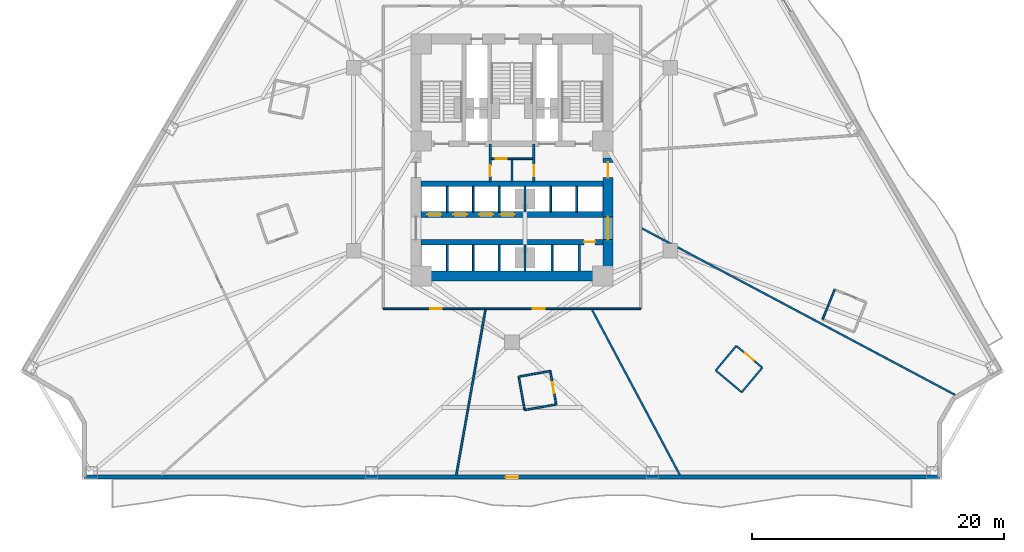
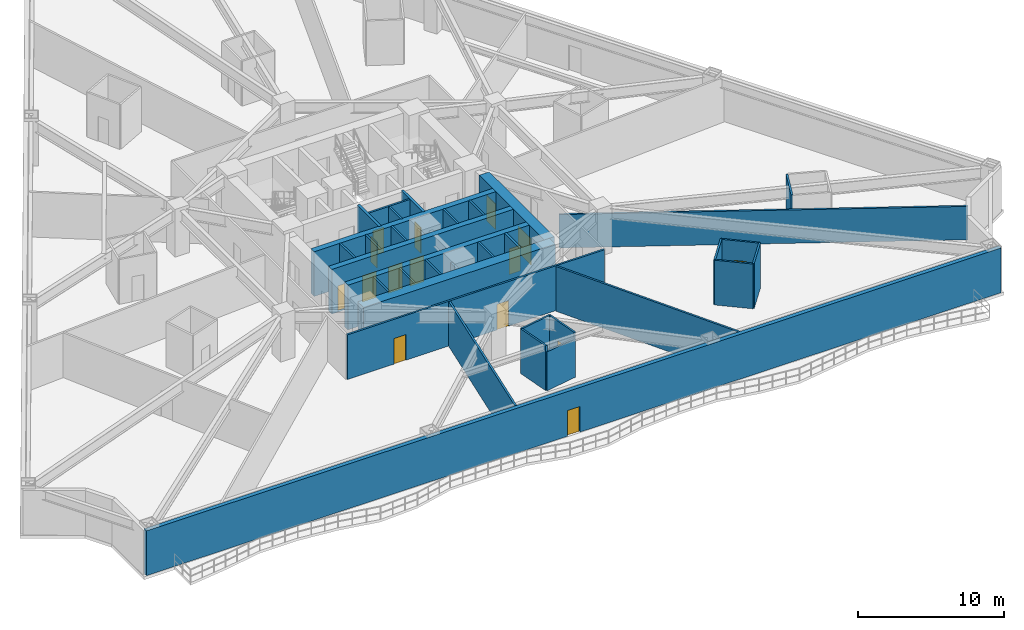
# One storey, part 4 of 10: 35 walls, 15 doors, 15 openings.
"""IFC4 building model written with IfcOpenShell, lengths in metres."""

from ifc_helpers import new_model, si_unit, direction, frame, frame_2d, origin, place, context, subcontext, project, spatial, rectangle, extrude, material, layer, layer_set, type_object, element, fill, save


model = new_model("IFC4")

# Units and contexts
model_context = context("Model", 3, precision=1e-05, world=origin(), true_north=direction((0.0, 1.0)))
body_context = subcontext(model_context, "Body", "Model", "MODEL_VIEW")
ifc_project = project(units=[si_unit("LENGTHUNIT", "METRE"), si_unit("AREAUNIT", "SQUARE_METRE"), si_unit("VOLUMEUNIT", "CUBIC_METRE"), si_unit("PLANEANGLEUNIT", "RADIAN"), si_unit("MASSUNIT", "GRAM", prefix="KILO")], contexts=[model_context])

# Site, building, storey
site_placement = place(None, origin())
site = spatial("IfcSite", under=ifc_project, at=site_placement, CompositionType="ELEMENT")
building_placement = place(site_placement, origin())
building = spatial("IfcBuilding", under=site, at=building_placement, Name="Apsidion Concourse Tower", CompositionType="ELEMENT")
storey_placement = place(building_placement, frame((0.0, 0.0, 38.39990234375)))
storey = spatial("IfcBuildingStorey", under=building, at=storey_placement, Name="L07", CompositionType="ELEMENT", Elevation=38.39990234375)

# Wall, opening, door
ifc_material_1 = material(Name="Precast concrete C40/50", Category="concrete")
ifc_layer_1 = layer(ifc_material_1, 0.320068359375)
ifc_layer_set_1 = layer_set([ifc_layer_1], Name="Precast concrete C40/50")
wall_type_1 = type_object("IfcWallType", Name="WL-EXT-320", PredefinedType="STANDARD", material=ifc_layer_set_1)
wall_1_placement = place(storey_placement, frame((33.88818359375, -25.199951171875, 0.0), z_axis=(0.0, 0.0, 1.0), x_axis=(-1.0, 0.0, 0.0)))
wall_1 = element("IfcWall", 1, at=wall_1_placement, inside=storey, type_object=wall_type_1, Name="L07 Precast Stone Facade Wall 05", PredefinedType="STANDARD", context=body_context, shape_type="SweptSolid", body=[
    extrude(rectangle(XDim=67.7763671875, YDim=0.320068359375, at=frame_2d((33.88818359375, 0.0))), origin(), (0.0, 0.0, 1.0), 3.75),
])
opening_1_placement = place(wall_1_placement, frame((33.38818359375, 0.0, 0.0)))
opening_1 = element("IfcOpeningElement", 2, at=opening_1_placement, cuts=wall_1, Name="Opening D-T1R", PredefinedType="OPENING", context=body_context, shape_type="SweptSolid", body=[
    extrude(rectangle(XDim=1.0, YDim=2.14990234375, at=frame_2d((0.5, 1.074951171875))), frame((0.0, 0.169921875, 0.0), z_axis=(0.0, -1.0, 0.0), x_axis=(1.0, 0.0, 0.0)), (0.0, 0.0, 1.0), 0.340087890625),
])
ifc_material_2 = material(Name="Anodised aluminium EN AW-6063 T6", Category="aluminium")
door_type_1 = type_object("IfcDoorType", Name="DR-TER-1022R", OperationType="SINGLE_SWING_RIGHT", PredefinedType="DOOR", material=ifc_material_2)
door_1_placement = place(opening_1_placement, origin())
door_1 = element("IfcDoor", 3, at=door_1_placement, inside=storey, type_object=door_type_1, Name="L07 Balcony Access Door 1", OperationType="SINGLE_SWING_RIGHT", OverallHeight=2.14990234375, OverallWidth=1.0, PredefinedType="DOOR", context=body_context, shape_type="SweptSolid", body=[
    extrude(rectangle(XDim=1.0, YDim=2.14990234375, at=frame_2d((0.5, 1.074951171875))), frame((0.0, 0.02490234375, 0.0), z_axis=(0.0, -1.0, 0.0), x_axis=(1.0, 0.0, 0.0)), (0.0, 0.0, 1.0), 0.050048828125),
])
fill(opening_1, door_1)

# Walls
ifc_material_3 = material(Name="Gypsum plasterboard partition")
ifc_layer_2 = layer(ifc_material_3, 0.139892578125)
ifc_layer_set_2 = layer_set([ifc_layer_2], Name="Gypsum plasterboard partition")
wall_type_2 = type_object("IfcWallType", Name="WL-INT-PAR-140", PredefinedType="PARTITIONING", material=ifc_layer_set_2)
wall_2_placement = place(storey_placement, frame((0.53271484375, -17.226806640625, 0.0), z_axis=(0.0, 0.0, 1.0), x_axis=(0.173707672725, -0.984797260575, 0.0)))
element("IfcWall", 4, at=wall_2_placement, inside=storey, type_object=wall_type_2, Name="L07 Interior Partition WL-L07-POD-ENS02-S1", PredefinedType="PARTITIONING", context=body_context, shape_type="SweptSolid", body=[
    extrude(rectangle(XDim=2.690185546875, YDim=0.139892578125, at=frame_2d((1.34521484375, 0.0))), origin(), (0.0, 0.0, 1.0), 3.75),
])
wall_3_placement = place(storey_placement, frame((1.0, -19.8759765625, 0.0), z_axis=(0.0, 0.0, 1.0), x_axis=(0.984799038106, 0.173697595106, 0.0)))
element("IfcWall", 5, at=wall_3_placement, inside=storey, type_object=wall_type_2, Name="L07 Interior Partition WL-L07-POD-ENS02-S2", PredefinedType="PARTITIONING", context=body_context, shape_type="SweptSolid", body=[
    extrude(rectangle(XDim=2.539794921875, YDim=0.139892578125, at=frame_2d((1.27001953125, 0.0))), origin(), (0.0, 0.0, 1.0), 3.254150390625),
])

# Wall, opening, door
wall_4_placement = place(storey_placement, frame((3.501220703125, -19.434814453125, 0.0), z_axis=(0.0, 0.0, 1.0), x_axis=(-0.17363517219, 0.98481004614, 0.0)))
wall_4 = element("IfcWall", 6, at=wall_4_placement, inside=storey, type_object=wall_type_2, Name="L07 Interior Partition WL-L07-POD-ENS02-S3", PredefinedType="PARTITIONING", context=body_context, shape_type="SweptSolid", body=[
    extrude(rectangle(XDim=2.689697265625, YDim=0.139892578125, at=frame_2d((1.3447265625, 0.0))), origin(), (0.0, 0.0, 1.0), 3.75),
])
opening_2_placement = place(wall_4_placement, frame((0.905029296875, 0.0, 0.0)))
opening_2 = element("IfcOpeningElement", 7, at=opening_2_placement, cuts=wall_4, Name="Opening D-03L", PredefinedType="OPENING", context=body_context, shape_type="SweptSolid", body=[
    extrude(rectangle(XDim=0.8798828125, YDim=2.10009765625, at=frame_2d((0.43994140625, 1.050048828125))), frame((0.0, 0.080078125, 0.0), z_axis=(0.0, -1.0, 0.0), x_axis=(1.0, 0.0, 0.0)), (0.0, 0.0, 1.0), 0.159912109375),
])
door_type_2 = type_object("IfcDoorType", Name="DR-INT-D03L", OperationType="SINGLE_SWING_LEFT", PredefinedType="DOOR", material=ifc_material_2)
door_2_placement = place(opening_2_placement, origin())
door_2 = element("IfcDoor", 8, at=door_2_placement, inside=storey, type_object=door_type_2, Name="L07 Guest En-Suite Bathroom Door ENS02", OperationType="SINGLE_SWING_LEFT", OverallHeight=2.10009765625, OverallWidth=0.8798828125, PredefinedType="DOOR", context=body_context, shape_type="SweptSolid", body=[
    extrude(rectangle(XDim=0.8798828125, YDim=2.10009765625, at=frame_2d((0.43994140625, 1.050048828125))), frame((0.0, 0.02490234375, 0.0), z_axis=(0.0, -1.0, 0.0), x_axis=(1.0, 0.0, 0.0)), (0.0, 0.0, 1.0), 0.050048828125),
])
fill(opening_2, door_2)

# Walls
wall_5_placement = place(storey_placement, frame((3.0341796875, -16.785888671875, 0.0), z_axis=(0.0, 0.0, 1.0), x_axis=(-0.98481837351, -0.173587935054, 0.0)))
element("IfcWall", 9, at=wall_5_placement, inside=storey, type_object=wall_type_2, Name="L07 Interior Partition WL-L07-POD-ENS02-S4", PredefinedType="PARTITIONING", context=body_context, shape_type="SweptSolid", body=[
    extrude(rectangle(XDim=2.5400390625, YDim=0.139892578125, at=frame_2d((1.27001953125, 0.0))), origin(), (0.0, 0.0, 1.0), 3.75),
])
wall_6_placement = place(storey_placement, frame((16.14794921875, -16.7392578125, 0.0), z_axis=(0.0, 0.0, 1.0), x_axis=(0.76716376368, -0.641451291757, 0.0)))
element("IfcWall", 10, at=wall_6_placement, inside=storey, type_object=wall_type_2, Name="L07 Interior Partition WL-L07-POD-ENS03-S1", PredefinedType="PARTITIONING", context=body_context, shape_type="SweptSolid", body=[
    extrude(rectangle(XDim=2.689697265625, YDim=0.139892578125, at=frame_2d((1.3447265625, 0.0))), origin(), (0.0, 0.0, 1.0), 3.75),
])
wall_7_placement = place(storey_placement, frame((18.21142578125, -18.464599609375, 0.0), z_axis=(0.0, 0.0, 1.0), x_axis=(0.641497613341, 0.767125030277, 0.0)))
element("IfcWall", 11, at=wall_7_placement, inside=storey, type_object=wall_type_2, Name="L07 Interior Partition WL-L07-POD-ENS03-S2", PredefinedType="PARTITIONING", context=body_context, shape_type="SweptSolid", body=[
    extrude(rectangle(XDim=2.5400390625, YDim=0.139892578125, at=frame_2d((1.27001953125, 0.0))), origin(), (0.0, 0.0, 1.0), 3.75),
])

# Wall, opening, door
wall_8_placement = place(storey_placement, frame((19.8408203125, -16.51611328125, 0.0), z_axis=(0.0, 0.0, 1.0), x_axis=(-0.767156445247, 0.641460044364, 0.0)))
wall_8 = element("IfcWall", 12, at=wall_8_placement, inside=storey, type_object=wall_type_2, Name="L07 Interior Partition WL-L07-POD-ENS03-S3", PredefinedType="PARTITIONING", context=body_context, shape_type="SweptSolid", body=[
    extrude(rectangle(XDim=2.690185546875, YDim=0.139892578125, at=frame_2d((1.34521484375, 0.0))), origin(), (0.0, 0.0, 1.0), 3.75),
])
opening_3_placement = place(wall_8_placement, frame((0.905029296875, 0.0, 0.0)))
opening_3 = element("IfcOpeningElement", 13, at=opening_3_placement, cuts=wall_8, Name="Opening D-03R", PredefinedType="OPENING", context=body_context, shape_type="SweptSolid", body=[
    extrude(rectangle(XDim=0.8798828125, YDim=2.10009765625, at=frame_2d((0.43994140625, 1.050048828125))), frame((0.0, 0.080078125, 0.0), z_axis=(0.0, -1.0, 0.0), x_axis=(1.0, 0.0, 0.0)), (0.0, 0.0, 1.0), 0.159912109375),
])
door_type_3 = type_object("IfcDoorType", Name="DR-INT-D03R", OperationType="SINGLE_SWING_RIGHT", PredefinedType="DOOR", material=ifc_material_2)
door_3_placement = place(opening_3_placement, origin())
door_3 = element("IfcDoor", 14, at=door_3_placement, inside=storey, type_object=door_type_3, Name="L07 Guest En-Suite Bathroom Door ENS03", OperationType="SINGLE_SWING_RIGHT", OverallHeight=2.10009765625, OverallWidth=0.8798828125, PredefinedType="DOOR", context=body_context, shape_type="SweptSolid", body=[
    extrude(rectangle(XDim=0.8798828125, YDim=2.10009765625, at=frame_2d((0.43994140625, 1.050048828125))), frame((0.0, 0.02490234375, 0.0), z_axis=(0.0, -1.0, 0.0), x_axis=(1.0, 0.0, 0.0)), (0.0, 0.0, 1.0), 0.050048828125),
])
fill(opening_3, door_3)

# Walls
wall_9_placement = place(storey_placement, frame((17.777099609375, -14.79052734375, 0.0), z_axis=(0.0, 0.0, 1.0), x_axis=(-0.641393743612, -0.767211877942, 0.0)))
element("IfcWall", 15, at=wall_9_placement, inside=storey, type_object=wall_type_2, Name="L07 Interior Partition WL-L07-POD-ENS03-S4", PredefinedType="PARTITIONING", context=body_context, shape_type="SweptSolid", body=[
    extrude(rectangle(XDim=2.5400390625, YDim=0.139892578125, at=frame_2d((1.27001953125, 0.0))), origin(), (0.0, 0.0, 1.0), 3.75),
])
wall_10_placement = place(storey_placement, frame((25.57568359375, -10.328857421875, 0.0), z_axis=(0.0, 0.0, 1.0), x_axis=(-0.376224921193, -0.926528363664, 0.0)))
element("IfcWall", 16, at=wall_10_placement, inside=storey, type_object=wall_type_2, Name="L07 Interior Partition WL-L07-POD-ENS04-S4", PredefinedType="PARTITIONING", context=body_context, shape_type="SweptSolid", body=[
    extrude(rectangle(XDim=2.539794921875, YDim=0.139892578125, at=frame_2d((1.27001953125, 0.0))), origin(), (0.0, 0.0, 1.0), 3.75),
])
ifc_layer_3 = layer(ifc_material_3, 0.14990234375)
ifc_layer_set_3 = layer_set([ifc_layer_3], Name="Gypsum plasterboard partition")
wall_type_3 = type_object("IfcWallType", Name="WL-INT-PAR-150", PredefinedType="PARTITIONING", material=ifc_layer_set_3)
for number, where, z_axis, x_axis, name in (
    (17, (-5.125, -4.179931640625, 0.0), (0.0, 0.0, 1.0), (0.0, 1.0, 0.0), "L07 Interior Partition WL-L07-B1DIV-1"),
    (18, (-3.074951171875, -4.179931640625, 0.0), (0.0, 0.0, 1.0), (0.0, 1.0, 0.0), "L07 Interior Partition WL-L07-B1DIV-2"),
    (19, (-1.02490234375, -4.179931640625, 0.0), (0.0, 0.0, 1.0), (0.0, 1.0, 0.0), "L07 Interior Partition WL-L07-B1DIV-3"),
    (20, (3.074951171875, -4.179931640625, 0.0), (0.0, 0.0, 1.0), (0.0, 1.0, 0.0), "L07 Interior Partition WL-L07-B3DIV-1"),
    (21, (5.125, -4.179931640625, 0.0), (0.0, 0.0, 1.0), (0.0, 1.0, 0.0), "L07 Interior Partition WL-L07-B3DIV-2"),
):
    element("IfcWall", number, at=place(storey_placement, frame(where, z_axis=z_axis, x_axis=x_axis)), inside=storey, type_object=wall_type_3, Name=name, PredefinedType="PARTITIONING", context=body_context, shape_type="SweptSolid", body=[
        extrude(rectangle(XDim=2.030029296875, YDim=0.14990234375, at=frame_2d((1.01513671875, 0.0))), origin(), (0.0, 0.0, 1.0), 3.75),
    ])
for number, where, z_axis, x_axis, name in (
    (22, (-5.125, -8.85009765625, 0.0), (0.0, 0.0, 1.0), (0.0, 1.0, 0.0), "L07 Interior Partition WL-L07-B2DIV-1"),
    (23, (-3.074951171875, -8.85009765625, 0.0), (0.0, 0.0, 1.0), (0.0, 1.0, 0.0), "L07 Interior Partition WL-L07-B2DIV-2"),
    (24, (-1.02490234375, -8.85009765625, 0.0), (0.0, 0.0, 1.0), (0.0, 1.0, 0.0), "L07 Interior Partition WL-L07-B2DIV-3"),
    (25, (3.175048828125, -8.85009765625, 0.0), (0.0, 0.0, 1.0), (0.0, 1.0, 0.0), "L07 Interior Partition WL-L07-SHDIV-1"),
):
    element("IfcWall", number, at=place(storey_placement, frame(where, z_axis=z_axis, x_axis=x_axis)), inside=storey, type_object=wall_type_3, Name=name, PredefinedType="PARTITIONING", context=body_context, shape_type="SweptSolid", body=[
        extrude(rectangle(XDim=2.080078125, YDim=0.14990234375, at=frame_2d((1.0400390625, 0.0))), origin(), (0.0, 0.0, 1.0), 3.75),
    ])

# Wall, opening, door
wall_11_placement = place(storey_placement, frame((-1.639892578125, 0.0400390625, 0.0), z_axis=(0.0, 0.0, 1.0), x_axis=(1.0, 0.0, 0.0)))
wall_11 = element("IfcWall", 26, at=wall_11_placement, inside=storey, type_object=wall_type_3, Name="L07 Interior Partition WL-L07-K4H", PredefinedType="PARTITIONING", context=body_context, shape_type="SweptSolid", body=[
    extrude(rectangle(XDim=3.27978515625, YDim=0.14990234375, at=frame_2d((1.639892578125, 0.0))), origin(), (0.0, 0.0, 1.0), 3.75),
])
opening_4_placement = place(wall_11_placement, frame((0.360107421875, 0.0, 0.0)))
opening_4 = element("IfcOpeningElement", 27, at=opening_4_placement, cuts=wall_11, Name="Opening D-03L", PredefinedType="OPENING", context=body_context, shape_type="SweptSolid", body=[
    extrude(rectangle(XDim=0.8798828125, YDim=2.10009765625, at=frame_2d((0.43994140625, 1.050048828125))), frame((0.0, 0.0849609375, 0.0), z_axis=(0.0, -1.0, 0.0), x_axis=(1.0, 0.0, 0.0)), (0.0, 0.0, 1.0), 0.169921875),
])
door_4_placement = place(opening_4_placement, origin())
door_4 = element("IfcDoor", 28, at=door_4_placement, inside=storey, type_object=door_type_2, Name="L07 Core Telecoms Door", OperationType="SINGLE_SWING_LEFT", OverallHeight=2.10009765625, OverallWidth=0.8798828125, PredefinedType="DOOR", context=body_context, shape_type="SweptSolid", body=[
    extrude(rectangle(XDim=0.8798828125, YDim=2.10009765625, at=frame_2d((0.43994140625, 1.050048828125))), frame((0.0, 0.02490234375, 0.0), z_axis=(0.0, -1.0, 0.0), x_axis=(1.0, 0.0, 0.0)), (0.0, 0.0, 1.0), 0.050048828125),
])
fill(opening_4, door_4)

# Wall
wall_12_placement = place(storey_placement, frame((0.0, -1.780029296875, 0.0), z_axis=(0.0, 0.0, 1.0), x_axis=(0.0, 1.0, 0.0)))
element("IfcWall", 29, at=wall_12_placement, inside=storey, type_object=wall_type_3, Name="L07 Interior Partition WL-L07-K4V", PredefinedType="PARTITIONING", context=body_context, shape_type="SweptSolid", body=[
    extrude(rectangle(XDim=1.72998046875, YDim=0.14990234375, at=frame_2d((0.864990234375, 0.0))), origin(), (0.0, 0.0, 1.0), 3.75),
])

# Wall, openings, doors
wall_13_placement = place(storey_placement, frame((10.199951171875, -11.85009765625, 0.0), z_axis=(0.0, 0.0, 1.0), x_axis=(-1.0, 0.0, 0.0)))
wall_13 = element("IfcWall", 30, at=wall_13_placement, inside=storey, type_object=wall_type_3, Name="L07 Interior Partition WL-L07-CORR-03", PredefinedType="PARTITIONING", context=body_context, shape_type="SweptSolid", body=[
    extrude(rectangle(XDim=20.39990234375, YDim=0.14990234375, at=frame_2d((10.199951171875, 0.0))), origin(), (0.0, 0.0, 1.0), 3.75),
])
opening_5_placement = place(wall_13_placement, frame((15.7490234375, 0.0, 0.0)))
opening_5 = element("IfcOpeningElement", 31, at=opening_5_placement, cuts=wall_13, Name="Opening D-01R", PredefinedType="OPENING", context=body_context, shape_type="SweptSolid", body=[
    extrude(rectangle(XDim=0.949951171875, YDim=2.14990234375, at=frame_2d((0.47509765625, 1.074951171875))), frame((0.0, 0.0849609375, 0.0), z_axis=(0.0, -1.0, 0.0), x_axis=(1.0, 0.0, 0.0)), (0.0, 0.0, 1.0), 0.169921875),
])
opening_6_placement = place(wall_13_placement, frame((7.603515625, 0.0, 0.0)))
opening_6 = element("IfcOpeningElement", 32, at=opening_6_placement, cuts=wall_13, Name="Opening D-01L", PredefinedType="OPENING", context=body_context, shape_type="SweptSolid", body=[
    extrude(rectangle(XDim=0.949951171875, YDim=2.14990234375, at=frame_2d((0.47509765625, 1.074951171875))), frame((0.0, 0.0849609375, 0.0), z_axis=(0.0, -1.0, 0.0), x_axis=(1.0, 0.0, 0.0)), (0.0, 0.0, 1.0), 0.169921875),
])
ifc_material_4 = material(Name="Brushed stainless steel 316", Category="steel")
door_type_4 = type_object("IfcDoorType", Name="DR-INT-D01L", OperationType="SINGLE_SWING_LEFT", PredefinedType="DOOR", material=ifc_material_4)
door_5_placement = place(opening_6_placement, origin())
door_5 = element("IfcDoor", 33, at=door_5_placement, inside=storey, type_object=door_type_4, Name="L07 Corridor Entry Door 03", OperationType="SINGLE_SWING_LEFT", OverallHeight=2.14990234375, OverallWidth=0.949951171875, PredefinedType="DOOR", context=body_context, shape_type="SweptSolid", body=[
    extrude(rectangle(XDim=0.949951171875, YDim=2.14990234375, at=frame_2d((0.47509765625, 1.074951171875))), frame((0.0, 0.02490234375, 0.0), z_axis=(0.0, -1.0, 0.0), x_axis=(1.0, 0.0, 0.0)), (0.0, 0.0, 1.0), 0.050048828125),
])
fill(opening_6, door_5)
door_type_5 = type_object("IfcDoorType", Name="DR-INT-D01R", OperationType="SINGLE_SWING_RIGHT", PredefinedType="DOOR", material=ifc_material_4)
door_6_placement = place(opening_5_placement, origin())
door_6 = element("IfcDoor", 34, at=door_6_placement, inside=storey, type_object=door_type_5, Name="L07 Corridor Entry Door 02", OperationType="SINGLE_SWING_RIGHT", OverallHeight=2.14990234375, OverallWidth=0.949951171875, PredefinedType="DOOR", context=body_context, shape_type="SweptSolid", body=[
    extrude(rectangle(XDim=0.949951171875, YDim=2.14990234375, at=frame_2d((0.47509765625, 1.074951171875))), frame((0.0, 0.02490234375, 0.0), z_axis=(0.0, -1.0, 0.0), x_axis=(1.0, 0.0, 0.0)), (0.0, 0.0, 1.0), 0.050048828125),
])
fill(opening_5, door_6)

# Walls
wall_14_placement = place(storey_placement, frame((-2.10791015625, -11.955078125, 0.0), z_axis=(0.0, 0.0, 1.0), x_axis=(-0.173657301911, -0.984806144118, 0.0)))
element("IfcWall", 35, at=wall_14_placement, inside=storey, type_object=wall_type_3, Name="L07 Interior Partition WL-L07-RAD-08-1", PredefinedType="PARTITIONING", context=body_context, shape_type="SweptSolid", body=[
    extrude(rectangle(XDim=13.271484375, YDim=0.14990234375, at=frame_2d((6.6357421875, 0.0))), origin(), (0.0, 0.0, 1.0), 3.75),
])
wall_15_placement = place(storey_placement, frame((6.356689453125, -11.955078125, 0.0), z_axis=(0.0, 0.0, 1.0), x_axis=(0.469464713073, -0.882951234882, 0.0)))
element("IfcWall", 36, at=wall_15_placement, inside=storey, type_object=wall_type_3, Name="L07 Interior Partition WL-L07-RAD-09-1", PredefinedType="PARTITIONING", context=body_context, shape_type="SweptSolid", body=[
    extrude(rectangle(XDim=14.802490234375, YDim=0.14990234375, at=frame_2d((7.4013671875, 0.0))), origin(), (0.0, 0.0, 1.0), 3.75),
])
wall_16_placement = place(storey_placement, frame((10.304931640625, -5.479248046875, 0.0), z_axis=(0.0, 0.0, 1.0), x_axis=(0.882948770752, -0.469469347484, 0.0)))
element("IfcWall", 37, at=wall_16_placement, inside=storey, type_object=wall_type_3, Name="L07 Interior Partition WL-L07-RAD-10-1", PredefinedType="PARTITIONING", context=body_context, shape_type="SweptSolid", body=[
    extrude(rectangle(XDim=28.107421875, YDim=0.14990234375, at=frame_2d((14.0537109375, 0.0))), origin(), (0.0, 0.0, 1.0), 2.798095703125),
])
ifc_layer_4 = layer(ifc_material_3, 0.179931640625)
ifc_layer_set_4 = layer_set([ifc_layer_4], Name="Gypsum plasterboard partition")
wall_type_4 = type_object("IfcWallType", Name="WL-INT-PAR-180", PredefinedType="PARTITIONING", material=ifc_layer_set_4)
wall_17_placement = place(storey_placement, frame((1.02490234375, -4.179931640625, 0.0), z_axis=(0.0, 0.0, 1.0), x_axis=(0.0, 1.0, 0.0)))
element("IfcWall", 38, at=wall_17_placement, inside=storey, type_object=wall_type_4, Name="L07 Interior Partition WL-L07-B1END", PredefinedType="PARTITIONING", context=body_context, shape_type="SweptSolid", body=[
    extrude(rectangle(XDim=2.030029296875, YDim=0.179931640625, at=frame_2d((1.01513671875, 0.0))), origin(), (0.0, 0.0, 1.0), 2.798095703125),
])
wall_18_placement = place(storey_placement, frame((1.02490234375, -8.85009765625, 0.0), z_axis=(0.0, 0.0, 1.0), x_axis=(0.0, 1.0, 0.0)))
element("IfcWall", 39, at=wall_18_placement, inside=storey, type_object=wall_type_4, Name="L07 Interior Partition WL-L07-B2END", PredefinedType="PARTITIONING", context=body_context, shape_type="SweptSolid", body=[
    extrude(rectangle(XDim=2.080078125, YDim=0.179931640625, at=frame_2d((1.0400390625, 0.0))), origin(), (0.0, 0.0, 1.0), 2.798095703125),
])
wall_19_placement = place(storey_placement, frame((5.324951171875, -8.85009765625, 0.0), z_axis=(0.0, 0.0, 1.0), x_axis=(0.0, 1.0, 0.0)))
element("IfcWall", 40, at=wall_19_placement, inside=storey, type_object=wall_type_4, Name="L07 Interior Partition WL-L07-SHDIV-2", PredefinedType="PARTITIONING", context=body_context, shape_type="SweptSolid", body=[
    extrude(rectangle(XDim=2.080078125, YDim=0.179931640625, at=frame_2d((1.0400390625, 0.0))), origin(), (0.0, 0.0, 1.0), 3.75),
])

# Wall, opening, door
ifc_layer_5 = layer(ifc_material_3, 0.199951171875)
ifc_layer_set_5 = layer_set([ifc_layer_5], Name="Gypsum plasterboard partition")
wall_type_5 = type_object("IfcWallType", Name="WL-INT-PAR-200", PredefinedType="PARTITIONING", material=ifc_layer_set_5)
wall_20_placement = place(storey_placement, frame((-1.739990234375, -1.780029296875, 0.0), z_axis=(0.0, 0.0, 1.0), x_axis=(0.0, 1.0, 0.0)))
wall_20 = element("IfcWall", 41, at=wall_20_placement, inside=storey, type_object=wall_type_5, Name="L07 Interior Partition WL-L07-FF1-E", PredefinedType="PARTITIONING", context=body_context, shape_type="SweptSolid", body=[
    extrude(rectangle(XDim=2.97998046875, YDim=0.199951171875, at=frame_2d((1.489990234375, 0.0))), origin(), (0.0, 0.0, 1.0), 3.75),
])
opening_7_placement = place(wall_20_placement, frame((0.419921875, 0.0, 0.0)))
opening_7 = element("IfcOpeningElement", 42, at=opening_7_placement, cuts=wall_20, Name="Opening D-05R", PredefinedType="OPENING", context=body_context, shape_type="SweptSolid", body=[
    extrude(rectangle(XDim=0.8798828125, YDim=2.14990234375, at=frame_2d((0.43994140625, 1.074951171875))), frame((0.0, 0.10986328125, 0.0), z_axis=(0.0, -1.0, 0.0), x_axis=(1.0, 0.0, 0.0)), (0.0, 0.0, 1.0), 0.219970703125),
])
door_type_6 = type_object("IfcDoorType", Name="DR-INT-D05R", OperationType="SINGLE_SWING_RIGHT", PredefinedType="DOOR", material=ifc_material_4)
door_7_placement = place(opening_7_placement, origin())
door_7 = element("IfcDoor", 43, at=door_7_placement, inside=storey, type_object=door_type_6, Name="L07 Core Switch Room Door", OperationType="SINGLE_SWING_RIGHT", OverallHeight=2.14990234375, OverallWidth=0.8798828125, PredefinedType="DOOR", context=body_context, shape_type="SweptSolid", body=[
    extrude(rectangle(XDim=0.8798828125, YDim=2.14990234375, at=frame_2d((0.43994140625, 1.074951171875))), frame((0.0, 0.02490234375, 0.0), z_axis=(0.0, -1.0, 0.0), x_axis=(1.0, 0.0, 0.0)), (0.0, 0.0, 1.0), 0.050048828125),
])
fill(opening_7, door_7)

wall_21_placement = place(storey_placement, frame((1.739990234375, -1.780029296875, 0.0), z_axis=(0.0, 0.0, 1.0), x_axis=(0.0, 1.0, 0.0)))
wall_21 = element("IfcWall", 44, at=wall_21_placement, inside=storey, type_object=wall_type_5, Name="L07 Interior Partition WL-L07-FF2-W", PredefinedType="PARTITIONING", context=body_context, shape_type="SweptSolid", body=[
    extrude(rectangle(XDim=2.97998046875, YDim=0.199951171875, at=frame_2d((1.489990234375, 0.0))), origin(), (0.0, 0.0, 1.0), 3.75),
])
opening_8_placement = place(wall_21_placement, frame((0.419921875, 0.0, 0.0)))
opening_8 = element("IfcOpeningElement", 45, at=opening_8_placement, cuts=wall_21, Name="Opening D-05L", PredefinedType="OPENING", context=body_context, shape_type="SweptSolid", body=[
    extrude(rectangle(XDim=0.8798828125, YDim=2.14990234375, at=frame_2d((0.43994140625, 1.074951171875))), frame((0.0, 0.10986328125, 0.0), z_axis=(0.0, -1.0, 0.0), x_axis=(1.0, 0.0, 0.0)), (0.0, 0.0, 1.0), 0.219970703125),
])
door_type_7 = type_object("IfcDoorType", Name="DR-INT-D05L", OperationType="SINGLE_SWING_LEFT", PredefinedType="DOOR", material=ifc_material_4)
door_8_placement = place(opening_8_placement, origin())
door_8 = element("IfcDoor", 46, at=door_8_placement, inside=storey, type_object=door_type_7, Name="L07 Core First Aid Door", OperationType="SINGLE_SWING_LEFT", OverallHeight=2.14990234375, OverallWidth=0.8798828125, PredefinedType="DOOR", context=body_context, shape_type="SweptSolid", body=[
    extrude(rectangle(XDim=0.8798828125, YDim=2.14990234375, at=frame_2d((0.43994140625, 1.074951171875))), frame((0.0, 0.02490234375, 0.0), z_axis=(0.0, -1.0, 0.0), x_axis=(1.0, 0.0, 0.0)), (0.0, 0.0, 1.0), 0.050048828125),
])
fill(opening_8, door_8)

# Wall
ifc_material_5 = material(Name="Concrete C60/75", Category="concrete")
ifc_layer_6 = layer(ifc_material_5, 0.449951171875)
ifc_layer_set_6 = layer_set([ifc_layer_6], Name="Concrete C60/75")
wall_type_6 = type_object("IfcWallType", Name="WL-SH-450", PredefinedType="SHEAR", material=ifc_layer_set_6)
wall_22_placement = place(storey_placement, frame((-7.199951171875, -1.949951171875, 0.0), z_axis=(0.0, 0.0, 1.0), x_axis=(1.0, 0.0, 0.0)))
element("IfcWall", 47, at=wall_22_placement, inside=storey, type_object=wall_type_6, Name="L07 Central Core Shear Wall M2", PredefinedType="SHEAR", context=body_context, shape_type="SweptSolid", body=[
    extrude(rectangle(XDim=14.39990234375, YDim=0.449951171875, at=frame_2d((7.199951171875, 0.0))), origin(), (0.0, 0.0, 1.0), 3.75),
])

# Wall, openings, doors
wall_23_placement = place(storey_placement, frame((-7.199951171875, -4.3798828125, 0.0), z_axis=(0.0, 0.0, 1.0), x_axis=(1.0, 0.0, 0.0)))
wall_23 = element("IfcWall", 48, at=wall_23_placement, inside=storey, type_object=wall_type_6, Name="L07 Central Core Shear Wall LA", PredefinedType="SHEAR", context=body_context, shape_type="SweptSolid", body=[
    extrude(rectangle(XDim=14.39990234375, YDim=0.449951171875, at=frame_2d((7.199951171875, 0.0))), origin(), (0.0, 0.0, 1.0), 3.75),
])
opening_9_placement = place(wall_23_placement, frame((0.5, 0.0, 0.0)))
opening_9 = element("IfcOpeningElement", 49, at=opening_9_placement, cuts=wall_23, Name="Opening LD-P1", PredefinedType="OPENING", context=body_context, shape_type="SweptSolid", body=[
    extrude(rectangle(XDim=1.10009765625, YDim=2.199951171875, at=frame_2d((0.550048828125, 1.10009765625))), frame((0.0, 0.23486328125, 0.0), z_axis=(0.0, -1.0, 0.0), x_axis=(1.0, 0.0, 0.0)), (0.0, 0.0, 1.0), 0.469970703125),
])
opening_10_placement = place(wall_23_placement, frame((2.550048828125, 0.0, 0.0)))
opening_10 = element("IfcOpeningElement", 50, at=opening_10_placement, cuts=wall_23, Name="Opening LD-P1", PredefinedType="OPENING", context=body_context, shape_type="SweptSolid", body=[
    extrude(rectangle(XDim=1.10009765625, YDim=2.199951171875, at=frame_2d((0.550048828125, 1.10009765625))), frame((0.0, 0.23486328125, 0.0), z_axis=(0.0, -1.0, 0.0), x_axis=(1.0, 0.0, 0.0)), (0.0, 0.0, 1.0), 0.469970703125),
])
opening_11_placement = place(wall_23_placement, frame((4.60009765625, 0.0, 0.0)))
opening_11 = element("IfcOpeningElement", 51, at=opening_11_placement, cuts=wall_23, Name="Opening LD-P1", PredefinedType="OPENING", context=body_context, shape_type="SweptSolid", body=[
    extrude(rectangle(XDim=1.10009765625, YDim=2.199951171875, at=frame_2d((0.550048828125, 1.10009765625))), frame((0.0, 0.23486328125, 0.0), z_axis=(0.0, -1.0, 0.0), x_axis=(1.0, 0.0, 0.0)), (0.0, 0.0, 1.0), 0.469970703125),
])
opening_12_placement = place(wall_23_placement, frame((6.300048828125, 0.0, 0.0)))
opening_12 = element("IfcOpeningElement", 52, at=opening_12_placement, cuts=wall_23, Name="Opening LD-P1", PredefinedType="OPENING", context=body_context, shape_type="SweptSolid", body=[
    extrude(rectangle(XDim=1.10009765625, YDim=2.199951171875, at=frame_2d((0.550048828125, 1.10009765625))), frame((0.0, 0.23486328125, 0.0), z_axis=(0.0, -1.0, 0.0), x_axis=(1.0, 0.0, 0.0)), (0.0, 0.0, 1.0), 0.469970703125),
])
door_type_8 = type_object("IfcDoorType", Name="DR-LD-PASS", OperationType="DOUBLE_DOOR_SLIDING", PredefinedType="DOOR", material=ifc_material_4)
door_9_placement = place(opening_9_placement, origin())
door_9 = element("IfcDoor", 53, at=door_9_placement, inside=storey, type_object=door_type_8, Name="L07 Lift Landing Door P1", OperationType="DOUBLE_DOOR_SLIDING", OverallHeight=2.199951171875, OverallWidth=1.10009765625, PredefinedType="DOOR", context=body_context, shape_type="SweptSolid", body=[
    extrude(rectangle(XDim=1.10009765625, YDim=2.199951171875, at=frame_2d((0.550048828125, 1.10009765625))), frame((0.0, 0.02490234375, 0.0), z_axis=(0.0, -1.0, 0.0), x_axis=(1.0, 0.0, 0.0)), (0.0, 0.0, 1.0), 0.050048828125),
])
fill(opening_9, door_9)
door_10_placement = place(opening_10_placement, origin())
door_10 = element("IfcDoor", 54, at=door_10_placement, inside=storey, type_object=door_type_8, Name="L07 Lift Landing Door P2", OperationType="DOUBLE_DOOR_SLIDING", OverallHeight=2.199951171875, OverallWidth=1.10009765625, PredefinedType="DOOR", context=body_context, shape_type="SweptSolid", body=[
    extrude(rectangle(XDim=1.10009765625, YDim=2.199951171875, at=frame_2d((0.550048828125, 1.10009765625))), frame((0.0, 0.02490234375, 0.0), z_axis=(0.0, -1.0, 0.0), x_axis=(1.0, 0.0, 0.0)), (0.0, 0.0, 1.0), 0.050048828125),
])
fill(opening_10, door_10)
door_11_placement = place(opening_11_placement, origin())
door_11 = element("IfcDoor", 55, at=door_11_placement, inside=storey, type_object=door_type_8, Name="L07 Lift Landing Door P3", OperationType="DOUBLE_DOOR_SLIDING", OverallHeight=2.199951171875, OverallWidth=1.10009765625, PredefinedType="DOOR", context=body_context, shape_type="SweptSolid", body=[
    extrude(rectangle(XDim=1.10009765625, YDim=2.199951171875, at=frame_2d((0.550048828125, 1.10009765625))), frame((0.0, 0.02490234375, 0.0), z_axis=(0.0, -1.0, 0.0), x_axis=(1.0, 0.0, 0.0)), (0.0, 0.0, 1.0), 0.050048828125),
])
fill(opening_11, door_11)
door_12_placement = place(opening_12_placement, origin())
door_12 = element("IfcDoor", 56, at=door_12_placement, inside=storey, type_object=door_type_8, Name="L07 Lift Landing Door P4", OperationType="DOUBLE_DOOR_SLIDING", OverallHeight=2.199951171875, OverallWidth=1.10009765625, PredefinedType="DOOR", context=body_context, shape_type="SweptSolid", body=[
    extrude(rectangle(XDim=1.10009765625, YDim=2.199951171875, at=frame_2d((0.550048828125, 1.10009765625))), frame((0.0, 0.02490234375, 0.0), z_axis=(0.0, -1.0, 0.0), x_axis=(1.0, 0.0, 0.0)), (0.0, 0.0, 1.0), 0.050048828125),
])
fill(opening_12, door_12)

# Wall, opening, door
wall_24_placement = place(storey_placement, frame((-7.199951171875, -6.570068359375, 0.0), z_axis=(0.0, 0.0, 1.0), x_axis=(1.0, 0.0, 0.0)))
wall_24 = element("IfcWall", 57, at=wall_24_placement, inside=storey, type_object=wall_type_6, Name="L07 Central Core Shear Wall LB", PredefinedType="SHEAR", context=body_context, shape_type="SweptSolid", body=[
    extrude(rectangle(XDim=14.39990234375, YDim=0.449951171875, at=frame_2d((7.199951171875, 0.0))), origin(), (0.0, 0.0, 1.0), 3.75),
])
opening_13_placement = place(wall_24_placement, frame((12.909912109375, 0.0, 0.0)))
opening_13 = element("IfcOpeningElement", 58, at=opening_13_placement, cuts=wall_24, Name="Opening D-05L", PredefinedType="OPENING", context=body_context, shape_type="SweptSolid", body=[
    extrude(rectangle(XDim=0.8798828125, YDim=2.14990234375, at=frame_2d((0.43994140625, 1.074951171875))), frame((0.0, 0.23486328125, 0.0), z_axis=(0.0, -1.0, 0.0), x_axis=(1.0, 0.0, 0.0)), (0.0, 0.0, 1.0), 0.469970703125),
])
door_13_placement = place(opening_13_placement, origin())
door_13 = element("IfcDoor", 59, at=door_13_placement, inside=storey, type_object=door_type_7, Name="L07 Cleaners Store Door", OperationType="SINGLE_SWING_LEFT", OverallHeight=2.14990234375, OverallWidth=0.8798828125, PredefinedType="DOOR", context=body_context, shape_type="SweptSolid", body=[
    extrude(rectangle(XDim=0.8798828125, YDim=2.14990234375, at=frame_2d((0.43994140625, 1.074951171875))), frame((0.0, 0.02490234375, 0.0), z_axis=(0.0, -1.0, 0.0), x_axis=(1.0, 0.0, 0.0)), (0.0, 0.0, 1.0), 0.050048828125),
])
fill(opening_13, door_13)

# Wall, openings, doors
ifc_layer_7 = layer(ifc_material_5, 0.800048828125)
ifc_layer_set_7 = layer_set([ifc_layer_7], Name="Concrete C60/75")
wall_type_7 = type_object("IfcWallType", Name="WL-SH-800", PredefinedType="SHEAR", material=ifc_layer_set_7)
wall_25_placement = place(storey_placement, frame((7.60009765625, -8.85009765625, 0.0), z_axis=(0.0, 0.0, 1.0), x_axis=(0.0, 1.0, 0.0)))
wall_25 = element("IfcWall", 60, at=wall_25_placement, inside=storey, type_object=wall_type_7, Name="L07 Central Core Shear Wall ES", PredefinedType="SHEAR", context=body_context, shape_type="SweptSolid", body=[
    extrude(rectangle(XDim=8.9501953125, YDim=0.800048828125, at=frame_2d((4.47509765625, 0.0))), origin(), (0.0, 0.0, 1.0), 3.75),
])
opening_14_placement = place(wall_25_placement, frame((2.489990234375, 0.0, 0.0)))
opening_14 = element("IfcOpeningElement", 61, at=opening_14_placement, cuts=wall_25, Name="Opening D-06D", PredefinedType="OPENING", context=body_context, shape_type="SweptSolid", body=[
    extrude(rectangle(XDim=1.800048828125, YDim=2.199951171875, at=frame_2d((0.89990234375, 1.10009765625))), frame((0.0, 0.41015625, 0.0), z_axis=(0.0, -1.0, 0.0), x_axis=(1.0, 0.0, 0.0)), (0.0, 0.0, 1.0), 0.820068359375),
])
opening_15_placement = place(wall_25_placement, frame((7.39990234375, 0.0, 0.0)))
opening_15 = element("IfcOpeningElement", 62, at=opening_15_placement, cuts=wall_25, Name="Opening D-FFR", PredefinedType="OPENING", context=body_context, shape_type="SweptSolid", body=[
    extrude(rectangle(XDim=1.199951171875, YDim=2.14990234375, at=frame_2d((0.60009765625, 1.074951171875))), frame((0.0, 0.41015625, 0.0), z_axis=(0.0, -1.0, 0.0), x_axis=(1.0, 0.0, 0.0)), (0.0, 0.0, 1.0), 0.820068359375),
])
door_type_9 = type_object("IfcDoorType", Name="DR-INT-D06D", OperationType="DOUBLE_DOOR_SINGLE_SWING", PredefinedType="DOOR", material=ifc_material_4)
door_14_placement = place(opening_14_placement, origin())
door_14 = element("IfcDoor", 63, at=door_14_placement, inside=storey, type_object=door_type_9, Name="L07 Passenger Lift Lobby ES Portal Door", OperationType="DOUBLE_DOOR_SINGLE_SWING", OverallHeight=2.199951171875, OverallWidth=1.800048828125, PredefinedType="DOOR", context=body_context, shape_type="SweptSolid", body=[
    extrude(rectangle(XDim=1.800048828125, YDim=2.199951171875, at=frame_2d((0.89990234375, 1.10009765625))), frame((0.0, 0.02490234375, 0.0), z_axis=(0.0, -1.0, 0.0), x_axis=(1.0, 0.0, 0.0)), (0.0, 0.0, 1.0), 0.050048828125),
])
fill(opening_14, door_14)
door_type_10 = type_object("IfcDoorType", Name="DR-INT-FFR", OperationType="SINGLE_SWING_RIGHT", PredefinedType="DOOR", material=ifc_material_4)
door_15_placement = place(opening_15_placement, origin())
door_15 = element("IfcDoor", 64, at=door_15_placement, inside=storey, type_object=door_type_10, Name="L07 Firefighting Lift Lobby FF2 Door", OperationType="SINGLE_SWING_RIGHT", OverallHeight=2.14990234375, OverallWidth=1.199951171875, PredefinedType="DOOR", context=body_context, shape_type="SweptSolid", body=[
    extrude(rectangle(XDim=1.199951171875, YDim=2.14990234375, at=frame_2d((0.60009765625, 1.074951171875))), frame((0.0, 0.02490234375, 0.0), z_axis=(0.0, -1.0, 0.0), x_axis=(1.0, 0.0, 0.0)), (0.0, 0.0, 1.0), 0.050048828125),
])
fill(opening_15, door_15)

# Wall
wall_26_placement = place(storey_placement, frame((-7.60009765625, -9.25, 0.0), z_axis=(0.0, 0.0, 1.0), x_axis=(1.0, 0.0, 0.0)))
element("IfcWall", 65, at=wall_26_placement, inside=storey, type_object=wall_type_7, Name="L07 Central Core Shear Wall S", PredefinedType="SHEAR", context=body_context, shape_type="SweptSolid", body=[
    extrude(rectangle(XDim=15.2001953125, YDim=0.800048828125, at=frame_2d((7.60009765625, 0.0))), origin(), (0.0, 0.0, 1.0), 3.75),
])

save(model, "model.ifc")
